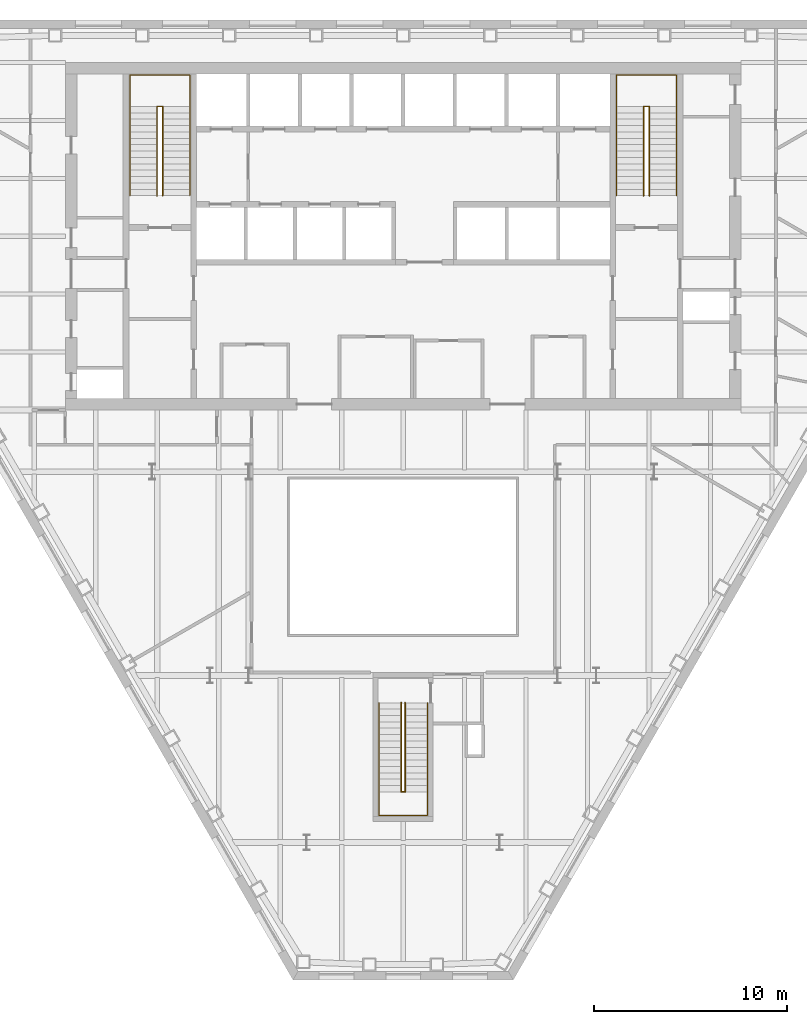
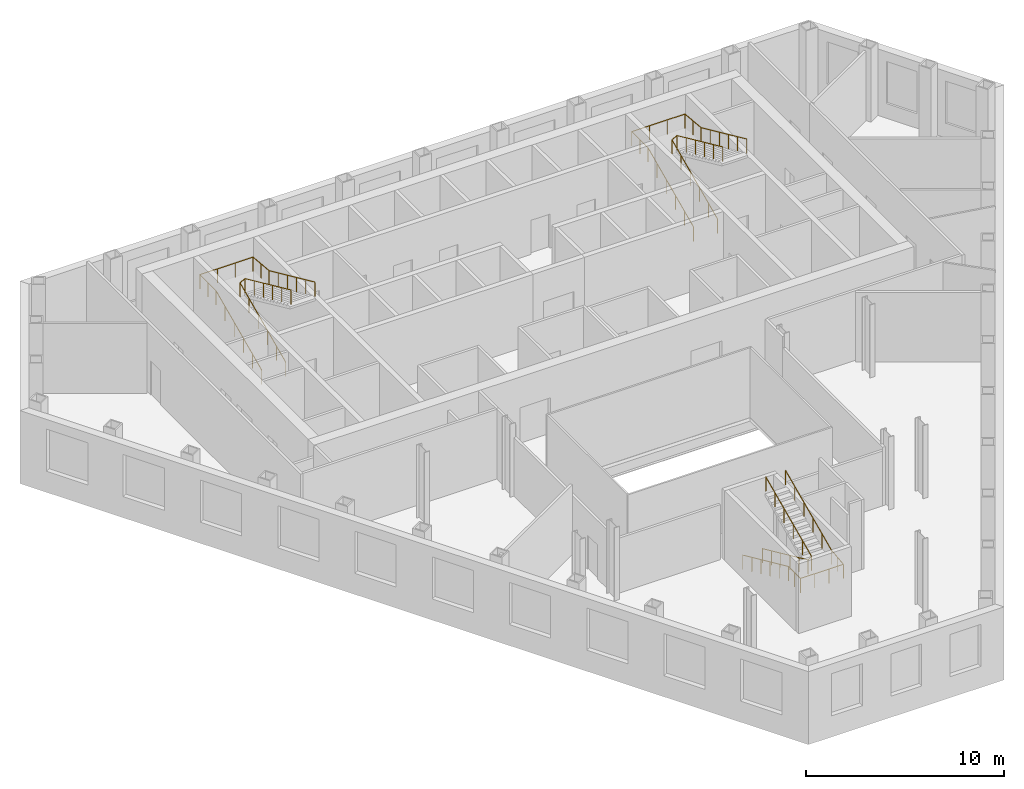
# One storey, part 10 of 10: 6 railings.
"""IFC4 building model written with IfcOpenShell, lengths in metres."""

from ifc_helpers import new_model, si_unit, direction, frame, origin, origin_2d, place, context, subcontext, project, spatial, circle, extrude, material, type_object, element, save


model = new_model("IFC4")

# Units and contexts
model_context = context("Model", 3, precision=1e-05, world=origin(), true_north=direction((0.0, 1.0)))
body_context = subcontext(model_context, "Body", "Model", "MODEL_VIEW")
ifc_project = project(units=[si_unit("LENGTHUNIT", "METRE"), si_unit("AREAUNIT", "SQUARE_METRE"), si_unit("VOLUMEUNIT", "CUBIC_METRE"), si_unit("PLANEANGLEUNIT", "RADIAN"), si_unit("MASSUNIT", "GRAM", prefix="KILO")], contexts=[model_context])

# Site, building, storey
site_placement = place(None, origin())
site = spatial("IfcSite", under=ifc_project, at=site_placement, CompositionType="ELEMENT")
building_placement = place(site_placement, origin())
building = spatial("IfcBuilding", under=site, at=building_placement, Name="Njiva Tower", CompositionType="ELEMENT")
storey_placement = place(building_placement, frame((0.0, 0.0, 51.3)))
storey = spatial("IfcBuildingStorey", under=building, at=storey_placement, Name="L10", CompositionType="ELEMENT", Elevation=51.3)

# Railings
ifc_material = material(Name="Stainless steel", Category="steel")
railing_type = type_object("IfcRailingType", Name="RL1 Stair handrail 900", PredefinedType="HANDRAIL", material=ifc_material)
railing_1_placement = place(storey_placement, frame((-14.15, 11.1, 0.15)))
element("IfcRailing", 1, at=railing_1_placement, inside=storey, type_object=railing_type, Name="Stair A handrail", PredefinedType="HANDRAIL", context=body_context, shape_type="SweptSolid", body=[
    extrude(circle(Radius=0.024, at=origin_2d()), frame((0.0, 0.0, 0.876), z_axis=(0.0, 0.910366477463, 0.413802944301), x_axis=(-1.0, 0.0, 0.0)), (0.0, 0.0, 1.0), 5.0749),
    extrude(circle(Radius=0.024, at=origin_2d()), frame((0.0, 4.62, 2.976), z_axis=(0.0, 1.0, 0.0), x_axis=(-1.0, 0.0, 0.0)), (0.0, 0.0, 1.0), 1.63),
    extrude(circle(Radius=0.024, at=origin_2d()), frame((0.0, 6.25, 2.976), z_axis=(1.0, 0.0, 0.0), x_axis=(0.0, 1.0, 0.0)), (0.0, 0.0, 1.0), 3.1),
    extrude(circle(Radius=0.024, at=origin_2d()), frame((3.1, 6.25, 2.976), z_axis=(0.0, -0.995792447047, 0.091637341753), x_axis=(1.0, 0.0, 0.0)), (0.0, 0.0, 1.0), 1.6369),
    extrude(circle(Radius=0.024, at=origin_2d()), frame((3.1, 4.62, 3.126), z_axis=(0.0, -0.910366477463, 0.413802944301), x_axis=(1.0, 0.0, 0.0)), (0.0, 0.0, 1.0), 5.0749),
    extrude(circle(Radius=0.021, at=origin_2d()), origin(), (0.0, 0.0, 1.0), 0.852),
    extrude(circle(Radius=0.021, at=origin_2d()), frame((0.0, 0.924, 0.42)), (0.0, 0.0, 1.0), 0.852),
    extrude(circle(Radius=0.021, at=origin_2d()), frame((0.0, 1.848, 0.84)), (0.0, 0.0, 1.0), 0.852),
    extrude(circle(Radius=0.021, at=origin_2d()), frame((0.0, 2.772, 1.26)), (0.0, 0.0, 1.0), 0.852),
    extrude(circle(Radius=0.021, at=origin_2d()), frame((0.0, 3.696, 1.68)), (0.0, 0.0, 1.0), 0.852),
    extrude(circle(Radius=0.021, at=origin_2d()), frame((0.0, 4.62, 2.1)), (0.0, 0.0, 1.0), 0.852),
    extrude(circle(Radius=0.021, at=origin_2d()), frame((0.0, 5.435, 2.1)), (0.0, 0.0, 1.0), 0.852),
    extrude(circle(Radius=0.021, at=origin_2d()), frame((0.0, 6.25, 2.1)), (0.0, 0.0, 1.0), 0.852),
    extrude(circle(Radius=0.021, at=origin_2d()), frame((1.0333, 6.25, 2.1)), (0.0, 0.0, 1.0), 0.852),
    extrude(circle(Radius=0.021, at=origin_2d()), frame((2.0667, 6.25, 2.1)), (0.0, 0.0, 1.0), 0.852),
    extrude(circle(Radius=0.021, at=origin_2d()), frame((3.1, 6.25, 2.1)), (0.0, 0.0, 1.0), 0.852),
    extrude(circle(Radius=0.021, at=origin_2d()), frame((3.1, 5.435, 2.175)), (0.0, 0.0, 1.0), 0.852),
    extrude(circle(Radius=0.021, at=origin_2d()), frame((3.1, 4.62, 2.25)), (0.0, 0.0, 1.0), 0.852),
    extrude(circle(Radius=0.021, at=origin_2d()), frame((3.1, 3.696, 2.67)), (0.0, 0.0, 1.0), 0.852),
    extrude(circle(Radius=0.021, at=origin_2d()), frame((3.1, 2.772, 3.09)), (0.0, 0.0, 1.0), 0.852),
    extrude(circle(Radius=0.021, at=origin_2d()), frame((3.1, 1.848, 3.51)), (0.0, 0.0, 1.0), 0.852),
    extrude(circle(Radius=0.021, at=origin_2d()), frame((3.1, 0.924, 3.93)), (0.0, 0.0, 1.0), 0.852),
    extrude(circle(Radius=0.021, at=origin_2d()), frame((3.1, 0.0, 4.35)), (0.0, 0.0, 1.0), 0.852),
])
railing_2_placement = place(storey_placement, frame((-12.75, 11.1, 0.15)))
element("IfcRailing", 2, at=railing_2_placement, inside=storey, type_object=railing_type, Name="Stair A handrail", PredefinedType="HANDRAIL", context=body_context, shape_type="SweptSolid", body=[
    extrude(circle(Radius=0.024, at=origin_2d()), frame((0.0, 0.0, 0.876), z_axis=(0.0, 0.910366477463, 0.413802944301), x_axis=(-1.0, 0.0, 0.0)), (0.0, 0.0, 1.0), 5.0749),
    extrude(circle(Radius=0.024, at=origin_2d()), frame((0.0, 4.62, 2.976), z_axis=(0.894427191, 0.0, 0.4472135955), x_axis=(0.0, 1.0, 0.0)), (0.0, 0.0, 1.0), 0.3354),
    extrude(circle(Radius=0.024, at=origin_2d()), frame((0.3, 4.62, 3.126), z_axis=(0.0, -0.910366477463, 0.413802944301), x_axis=(1.0, 0.0, 0.0)), (0.0, 0.0, 1.0), 5.0749),
    extrude(circle(Radius=0.021, at=origin_2d()), origin(), (0.0, 0.0, 1.0), 0.852),
    extrude(circle(Radius=0.021, at=origin_2d()), frame((0.0, 0.924, 0.42)), (0.0, 0.0, 1.0), 0.852),
    extrude(circle(Radius=0.021, at=origin_2d()), frame((0.0, 1.848, 0.84)), (0.0, 0.0, 1.0), 0.852),
    extrude(circle(Radius=0.021, at=origin_2d()), frame((0.0, 2.772, 1.26)), (0.0, 0.0, 1.0), 0.852),
    extrude(circle(Radius=0.021, at=origin_2d()), frame((0.0, 3.696, 1.68)), (0.0, 0.0, 1.0), 0.852),
    extrude(circle(Radius=0.021, at=origin_2d()), frame((0.0, 4.62, 2.1)), (0.0, 0.0, 1.0), 0.852),
    extrude(circle(Radius=0.021, at=origin_2d()), frame((0.3, 4.62, 2.25)), (0.0, 0.0, 1.0), 0.852),
    extrude(circle(Radius=0.021, at=origin_2d()), frame((0.3, 3.696, 2.67)), (0.0, 0.0, 1.0), 0.852),
    extrude(circle(Radius=0.021, at=origin_2d()), frame((0.3, 2.772, 3.09)), (0.0, 0.0, 1.0), 0.852),
    extrude(circle(Radius=0.021, at=origin_2d()), frame((0.3, 1.848, 3.51)), (0.0, 0.0, 1.0), 0.852),
    extrude(circle(Radius=0.021, at=origin_2d()), frame((0.3, 0.924, 3.93)), (0.0, 0.0, 1.0), 0.852),
    extrude(circle(Radius=0.021, at=origin_2d()), frame((0.3, 0.0, 4.35)), (0.0, 0.0, 1.0), 0.852),
])
railing_3_placement = place(storey_placement, frame((11.05, 11.1, 0.15)))
element("IfcRailing", 3, at=railing_3_placement, inside=storey, type_object=railing_type, Name="Stair B handrail", PredefinedType="HANDRAIL", context=body_context, shape_type="SweptSolid", body=[
    extrude(circle(Radius=0.024, at=origin_2d()), frame((0.0, 0.0, 0.876), z_axis=(0.0, 0.910366477463, 0.413802944301), x_axis=(-1.0, 0.0, 0.0)), (0.0, 0.0, 1.0), 5.0749),
    extrude(circle(Radius=0.024, at=origin_2d()), frame((0.0, 4.62, 2.976), z_axis=(0.0, 1.0, 0.0), x_axis=(-1.0, 0.0, 0.0)), (0.0, 0.0, 1.0), 1.63),
    extrude(circle(Radius=0.024, at=origin_2d()), frame((0.0, 6.25, 2.976), z_axis=(1.0, 0.0, 0.0), x_axis=(0.0, 1.0, 0.0)), (0.0, 0.0, 1.0), 3.1),
    extrude(circle(Radius=0.024, at=origin_2d()), frame((3.1, 6.25, 2.976), z_axis=(0.0, -0.995792447047, 0.091637341753), x_axis=(1.0, 0.0, 0.0)), (0.0, 0.0, 1.0), 1.6369),
    extrude(circle(Radius=0.024, at=origin_2d()), frame((3.1, 4.62, 3.126), z_axis=(0.0, -0.910366477463, 0.413802944301), x_axis=(1.0, 0.0, 0.0)), (0.0, 0.0, 1.0), 5.0749),
    extrude(circle(Radius=0.021, at=origin_2d()), origin(), (0.0, 0.0, 1.0), 0.852),
    extrude(circle(Radius=0.021, at=origin_2d()), frame((0.0, 0.924, 0.42)), (0.0, 0.0, 1.0), 0.852),
    extrude(circle(Radius=0.021, at=origin_2d()), frame((0.0, 1.848, 0.84)), (0.0, 0.0, 1.0), 0.852),
    extrude(circle(Radius=0.021, at=origin_2d()), frame((0.0, 2.772, 1.26)), (0.0, 0.0, 1.0), 0.852),
    extrude(circle(Radius=0.021, at=origin_2d()), frame((0.0, 3.696, 1.68)), (0.0, 0.0, 1.0), 0.852),
    extrude(circle(Radius=0.021, at=origin_2d()), frame((0.0, 4.62, 2.1)), (0.0, 0.0, 1.0), 0.852),
    extrude(circle(Radius=0.021, at=origin_2d()), frame((0.0, 5.435, 2.1)), (0.0, 0.0, 1.0), 0.852),
    extrude(circle(Radius=0.021, at=origin_2d()), frame((0.0, 6.25, 2.1)), (0.0, 0.0, 1.0), 0.852),
    extrude(circle(Radius=0.021, at=origin_2d()), frame((1.0333, 6.25, 2.1)), (0.0, 0.0, 1.0), 0.852),
    extrude(circle(Radius=0.021, at=origin_2d()), frame((2.0667, 6.25, 2.1)), (0.0, 0.0, 1.0), 0.852),
    extrude(circle(Radius=0.021, at=origin_2d()), frame((3.1, 6.25, 2.1)), (0.0, 0.0, 1.0), 0.852),
    extrude(circle(Radius=0.021, at=origin_2d()), frame((3.1, 5.435, 2.175)), (0.0, 0.0, 1.0), 0.852),
    extrude(circle(Radius=0.021, at=origin_2d()), frame((3.1, 4.62, 2.25)), (0.0, 0.0, 1.0), 0.852),
    extrude(circle(Radius=0.021, at=origin_2d()), frame((3.1, 3.696, 2.67)), (0.0, 0.0, 1.0), 0.852),
    extrude(circle(Radius=0.021, at=origin_2d()), frame((3.1, 2.772, 3.09)), (0.0, 0.0, 1.0), 0.852),
    extrude(circle(Radius=0.021, at=origin_2d()), frame((3.1, 1.848, 3.51)), (0.0, 0.0, 1.0), 0.852),
    extrude(circle(Radius=0.021, at=origin_2d()), frame((3.1, 0.924, 3.93)), (0.0, 0.0, 1.0), 0.852),
    extrude(circle(Radius=0.021, at=origin_2d()), frame((3.1, 0.0, 4.35)), (0.0, 0.0, 1.0), 0.852),
])
railing_4_placement = place(storey_placement, frame((12.45, 11.1, 0.15)))
element("IfcRailing", 4, at=railing_4_placement, inside=storey, type_object=railing_type, Name="Stair B handrail", PredefinedType="HANDRAIL", context=body_context, shape_type="SweptSolid", body=[
    extrude(circle(Radius=0.024, at=origin_2d()), frame((0.0, 0.0, 0.876), z_axis=(0.0, 0.910366477463, 0.413802944301), x_axis=(-1.0, 0.0, 0.0)), (0.0, 0.0, 1.0), 5.0749),
    extrude(circle(Radius=0.024, at=origin_2d()), frame((0.0, 4.62, 2.976), z_axis=(0.894427191, 0.0, 0.4472135955), x_axis=(0.0, 1.0, 0.0)), (0.0, 0.0, 1.0), 0.3354),
    extrude(circle(Radius=0.024, at=origin_2d()), frame((0.3, 4.62, 3.126), z_axis=(0.0, -0.910366477463, 0.413802944301), x_axis=(1.0, 0.0, 0.0)), (0.0, 0.0, 1.0), 5.0749),
    extrude(circle(Radius=0.021, at=origin_2d()), origin(), (0.0, 0.0, 1.0), 0.852),
    extrude(circle(Radius=0.021, at=origin_2d()), frame((0.0, 0.924, 0.42)), (0.0, 0.0, 1.0), 0.852),
    extrude(circle(Radius=0.021, at=origin_2d()), frame((0.0, 1.848, 0.84)), (0.0, 0.0, 1.0), 0.852),
    extrude(circle(Radius=0.021, at=origin_2d()), frame((0.0, 2.772, 1.26)), (0.0, 0.0, 1.0), 0.852),
    extrude(circle(Radius=0.021, at=origin_2d()), frame((0.0, 3.696, 1.68)), (0.0, 0.0, 1.0), 0.852),
    extrude(circle(Radius=0.021, at=origin_2d()), frame((0.0, 4.62, 2.1)), (0.0, 0.0, 1.0), 0.852),
    extrude(circle(Radius=0.021, at=origin_2d()), frame((0.3, 4.62, 2.25)), (0.0, 0.0, 1.0), 0.852),
    extrude(circle(Radius=0.021, at=origin_2d()), frame((0.3, 3.696, 2.67)), (0.0, 0.0, 1.0), 0.852),
    extrude(circle(Radius=0.021, at=origin_2d()), frame((0.3, 2.772, 3.09)), (0.0, 0.0, 1.0), 0.852),
    extrude(circle(Radius=0.021, at=origin_2d()), frame((0.3, 1.848, 3.51)), (0.0, 0.0, 1.0), 0.852),
    extrude(circle(Radius=0.021, at=origin_2d()), frame((0.3, 0.924, 3.93)), (0.0, 0.0, 1.0), 0.852),
    extrude(circle(Radius=0.021, at=origin_2d()), frame((0.3, 0.0, 4.35)), (0.0, 0.0, 1.0), 0.852),
])
railing_5_placement = place(storey_placement, frame((-1.25, -15.16, 0.15)))
element("IfcRailing", 5, at=railing_5_placement, inside=storey, type_object=railing_type, Name="Stair C handrail", PredefinedType="HANDRAIL", context=body_context, shape_type="SweptSolid", body=[
    extrude(circle(Radius=0.024, at=origin_2d()), frame((0.0, 0.0, 0.876), z_axis=(0.0, -0.910366477463, 0.413802944301), x_axis=(1.0, 0.0, 0.0)), (0.0, 0.0, 1.0), 5.0749),
    extrude(circle(Radius=0.024, at=origin_2d()), frame((0.0, -4.62, 2.976), z_axis=(0.0, -1.0, 0.0), x_axis=(1.0, 0.0, 0.0)), (0.0, 0.0, 1.0), 1.22),
    extrude(circle(Radius=0.024, at=origin_2d()), frame((0.0, -5.84, 2.976), z_axis=(1.0, 0.0, 0.0), x_axis=(0.0, 1.0, 0.0)), (0.0, 0.0, 1.0), 2.5),
    extrude(circle(Radius=0.024, at=origin_2d()), frame((2.5, -5.84, 2.976), z_axis=(0.0, 0.992526177815, 0.122031907108), x_axis=(-1.0, 0.0, 0.0)), (0.0, 0.0, 1.0), 1.2292),
    extrude(circle(Radius=0.024, at=origin_2d()), frame((2.5, -4.62, 3.126), z_axis=(0.0, 0.910366477463, 0.413802944301), x_axis=(-1.0, 0.0, 0.0)), (0.0, 0.0, 1.0), 5.0749),
    extrude(circle(Radius=0.021, at=origin_2d()), origin(), (0.0, 0.0, 1.0), 0.852),
    extrude(circle(Radius=0.021, at=origin_2d()), frame((0.0, -0.924, 0.42)), (0.0, 0.0, 1.0), 0.852),
    extrude(circle(Radius=0.021, at=origin_2d()), frame((0.0, -1.848, 0.84)), (0.0, 0.0, 1.0), 0.852),
    extrude(circle(Radius=0.021, at=origin_2d()), frame((0.0, -2.772, 1.26)), (0.0, 0.0, 1.0), 0.852),
    extrude(circle(Radius=0.021, at=origin_2d()), frame((0.0, -3.696, 1.68)), (0.0, 0.0, 1.0), 0.852),
    extrude(circle(Radius=0.021, at=origin_2d()), frame((0.0, -4.62, 2.1)), (0.0, 0.0, 1.0), 0.852),
    extrude(circle(Radius=0.021, at=origin_2d()), frame((0.0, -5.23, 2.1)), (0.0, 0.0, 1.0), 0.852),
    extrude(circle(Radius=0.021, at=origin_2d()), frame((0.0, -5.84, 2.1)), (0.0, 0.0, 1.0), 0.852),
    extrude(circle(Radius=0.021, at=origin_2d()), frame((0.8333, -5.84, 2.1)), (0.0, 0.0, 1.0), 0.852),
    extrude(circle(Radius=0.021, at=origin_2d()), frame((1.6667, -5.84, 2.1)), (0.0, 0.0, 1.0), 0.852),
    extrude(circle(Radius=0.021, at=origin_2d()), frame((2.5, -5.84, 2.1)), (0.0, 0.0, 1.0), 0.852),
    extrude(circle(Radius=0.021, at=origin_2d()), frame((2.5, -5.23, 2.175)), (0.0, 0.0, 1.0), 0.852),
    extrude(circle(Radius=0.021, at=origin_2d()), frame((2.5, -4.62, 2.25)), (0.0, 0.0, 1.0), 0.852),
    extrude(circle(Radius=0.021, at=origin_2d()), frame((2.5, -3.696, 2.67)), (0.0, 0.0, 1.0), 0.852),
    extrude(circle(Radius=0.021, at=origin_2d()), frame((2.5, -2.772, 3.09)), (0.0, 0.0, 1.0), 0.852),
    extrude(circle(Radius=0.021, at=origin_2d()), frame((2.5, -1.848, 3.51)), (0.0, 0.0, 1.0), 0.852),
    extrude(circle(Radius=0.021, at=origin_2d()), frame((2.5, -0.924, 3.93)), (0.0, 0.0, 1.0), 0.852),
    extrude(circle(Radius=0.021, at=origin_2d()), frame((2.5, 0.0, 4.35)), (0.0, 0.0, 1.0), 0.852),
])
railing_6_placement = place(storey_placement, frame((-0.1, -15.16, 0.15)))
element("IfcRailing", 6, at=railing_6_placement, inside=storey, type_object=railing_type, Name="Stair C handrail", PredefinedType="HANDRAIL", context=body_context, shape_type="SweptSolid", body=[
    extrude(circle(Radius=0.024, at=origin_2d()), frame((0.0, 0.0, 0.876), z_axis=(0.0, -0.910366477463, 0.413802944301), x_axis=(1.0, 0.0, 0.0)), (0.0, 0.0, 1.0), 5.0749),
    extrude(circle(Radius=0.024, at=origin_2d()), frame((0.0, -4.62, 2.976), z_axis=(0.8, 0.0, 0.6), x_axis=(0.0, 1.0, 0.0)), (0.0, 0.0, 1.0), 0.25),
    extrude(circle(Radius=0.024, at=origin_2d()), frame((0.2, -4.62, 3.126), z_axis=(0.0, 0.910366477463, 0.413802944301), x_axis=(-1.0, 0.0, 0.0)), (0.0, 0.0, 1.0), 5.0749),
    extrude(circle(Radius=0.021, at=origin_2d()), origin(), (0.0, 0.0, 1.0), 0.852),
    extrude(circle(Radius=0.021, at=origin_2d()), frame((0.0, -0.924, 0.42)), (0.0, 0.0, 1.0), 0.852),
    extrude(circle(Radius=0.021, at=origin_2d()), frame((0.0, -1.848, 0.84)), (0.0, 0.0, 1.0), 0.852),
    extrude(circle(Radius=0.021, at=origin_2d()), frame((0.0, -2.772, 1.26)), (0.0, 0.0, 1.0), 0.852),
    extrude(circle(Radius=0.021, at=origin_2d()), frame((0.0, -3.696, 1.68)), (0.0, 0.0, 1.0), 0.852),
    extrude(circle(Radius=0.021, at=origin_2d()), frame((0.0, -4.62, 2.1)), (0.0, 0.0, 1.0), 0.852),
    extrude(circle(Radius=0.021, at=origin_2d()), frame((0.2, -4.62, 2.25)), (0.0, 0.0, 1.0), 0.852),
    extrude(circle(Radius=0.021, at=origin_2d()), frame((0.2, -3.696, 2.67)), (0.0, 0.0, 1.0), 0.852),
    extrude(circle(Radius=0.021, at=origin_2d()), frame((0.2, -2.772, 3.09)), (0.0, 0.0, 1.0), 0.852),
    extrude(circle(Radius=0.021, at=origin_2d()), frame((0.2, -1.848, 3.51)), (0.0, 0.0, 1.0), 0.852),
    extrude(circle(Radius=0.021, at=origin_2d()), frame((0.2, -0.924, 3.93)), (0.0, 0.0, 1.0), 0.852),
    extrude(circle(Radius=0.021, at=origin_2d()), frame((0.2, 0.0, 4.35)), (0.0, 0.0, 1.0), 0.852),
])

save(model, "model.ifc")
